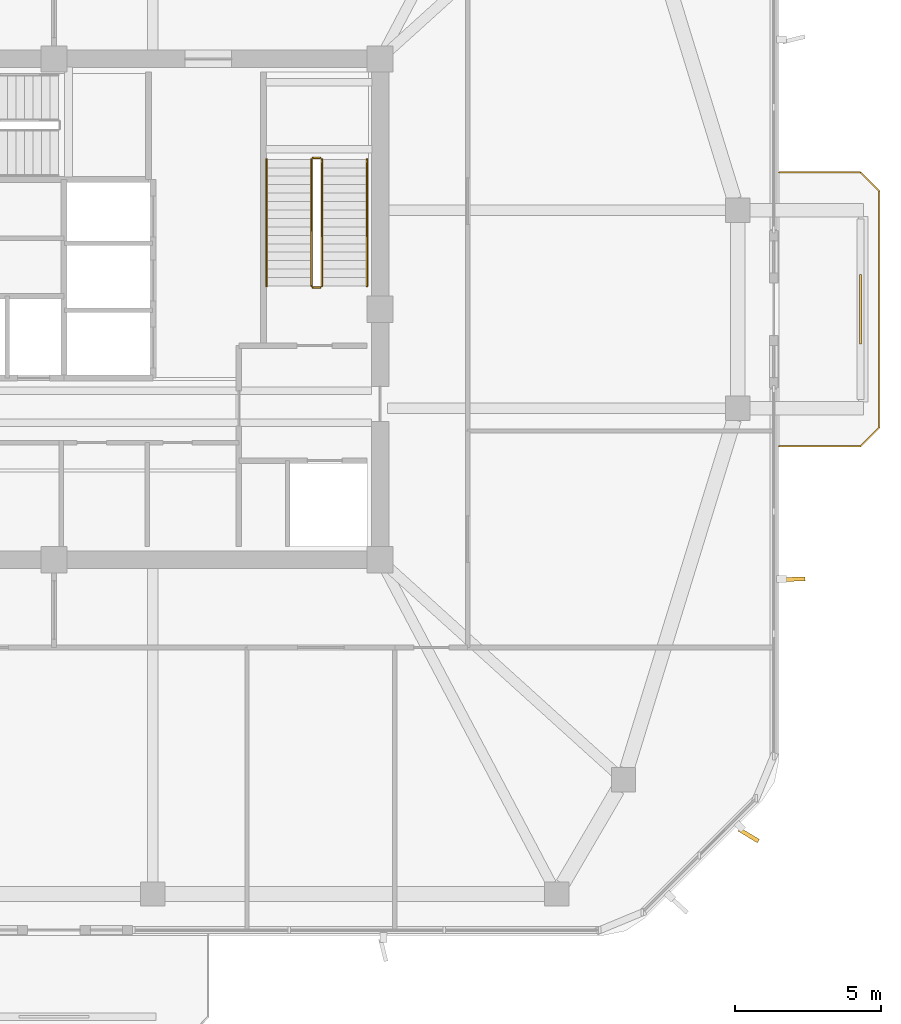
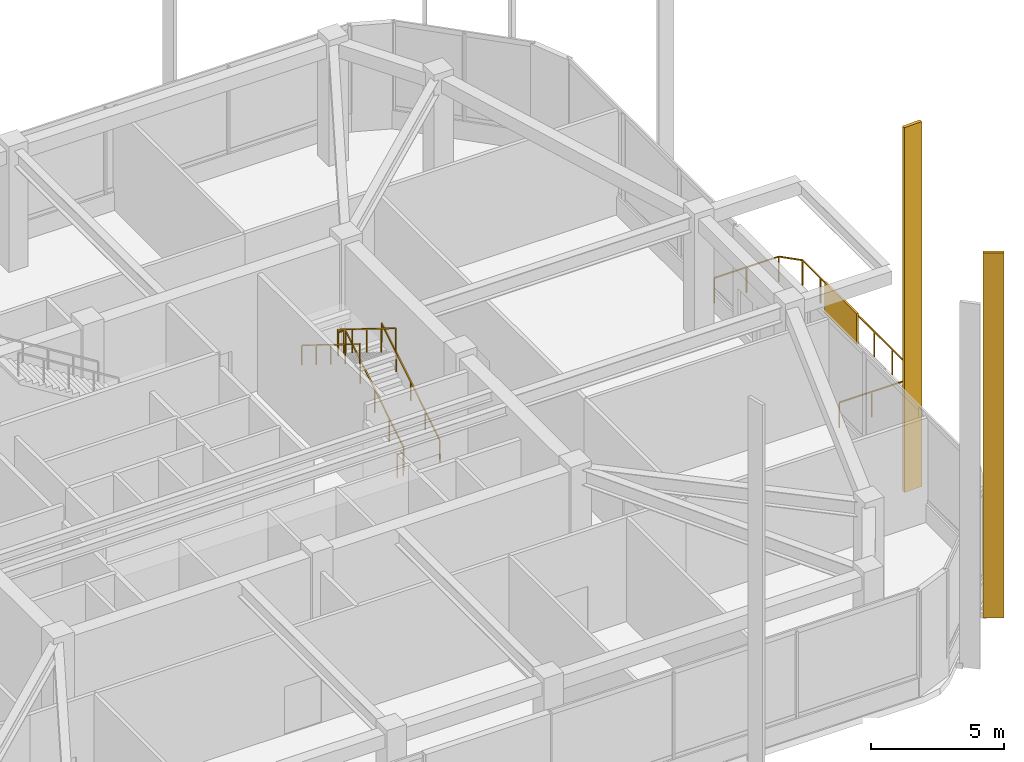
# One storey, part 13 of 14: 7 railings, 3 shading devices.
"""IFC4 building model written with IfcOpenShell, lengths in metres."""

import ifcopenshell
import ifcopenshell.guid

model = None  # the IFC model being written
_history = None  # IfcOwnerHistory: only IFC2X3 demands one
_inside = {}  # id of a spatial element -> (the spatial element, [elements in it])
_under = {}  # id of a project, library or spatial element -> (it, [spatial elements below it])
_declared = {}  # id of a project -> (the project, [libraries it declares])
_typed = {}  # id of a type object -> (the type object, [elements of that type])
_made_of = {}  # id of a material, layer set ... -> (it, [elements and type objects made of it])


def new_model(schema):
    """Start an empty IFC model of exactly this schema.

    Asked for "IFC4X3", IfcOpenShell would pick the latest addendum, in which some entities
    have other attributes; the version numbers below select the first issue.
    IFC2X3 requires an IfcOwnerHistory on every rooted entity: one is made here for all.
    """
    global model, _history
    if schema == "IFC4X3":
        model = ifcopenshell.file(schema_version=(4, 3, 0, 0))
    else:
        model = ifcopenshell.file(schema=schema)
    _inside.clear()
    _under.clear()
    _declared.clear()
    _typed.clear()
    _made_of.clear()
    _history = None
    if model.schema == "IFC2X3":
        org = make("IfcOrganization", Name="unknown")
        user = make(
            "IfcPersonAndOrganization",
            ThePerson=make("IfcPerson", FamilyName="unknown"),
            TheOrganization=org,
        )
        app = make(
            "IfcApplication",
            ApplicationDeveloper=org,
            Version="unknown",
            ApplicationFullName="unknown",
            ApplicationIdentifier="unknown",
        )
        _history = make(
            "IfcOwnerHistory",
            OwningUser=user,
            OwningApplication=app,
            ChangeAction="ADDED",
            CreationDate=0,
        )
    return model


def make(cls, **values):
    """One entity of the class cls with the attributes given. An attribute that is None is left unset."""
    return model.create_entity(
        cls, **{name: value for name, value in values.items() if value is not None}
    )


def rooted(cls, **values):
    """An entity with a GlobalId (a new one), such as an element, a storey or a relation."""
    return make(cls, GlobalId=ifcopenshell.guid.new(), OwnerHistory=_history, **values)


def si_unit(unit_type, name, prefix=None):
    """IfcSIUnit, for example si_unit("LENGTHUNIT", "METRE", prefix="MILLI")."""
    return make("IfcSIUnit", UnitType=unit_type, Prefix=prefix, Name=name)


def derived_unit(unit_type, elements):
    """IfcDerivedUnit: a product of units, each with its exponent."""
    return make(
        "IfcDerivedUnit",
        Elements=[
            make("IfcDerivedUnitElement", Unit=unit, Exponent=power)
            for unit, power in elements
        ],
        UnitType=unit_type,
    )


def assignment(units):
    """IfcUnitAssignment: the units of a project."""
    return None if units is None else make("IfcUnitAssignment", Units=units)


def point(xyz):
    """IfcCartesianPoint."""
    return None if xyz is None else make("IfcCartesianPoint", Coordinates=xyz)


def direction(xyz):
    """IfcDirection."""
    return None if xyz is None else make("IfcDirection", DirectionRatios=xyz)


def frame(location, z_axis=None, x_axis=None):
    """IfcAxis2Placement3D, a coordinate frame: its origin and axes. An axis left out is left unset."""
    return make(
        "IfcAxis2Placement3D",
        Location=point(location),
        Axis=direction(z_axis),
        RefDirection=direction(x_axis),
    )


def frame_2d(location, x_axis=None):
    """IfcAxis2Placement2D, a coordinate frame in the plane: its origin and x axis."""
    return make(
        "IfcAxis2Placement2D", Location=point(location), RefDirection=direction(x_axis)
    )


def origin():
    """The frame at (0, 0, 0) with its axes left unset."""
    return frame((0.0, 0.0, 0.0))


def origin_2d():
    """The frame at (0, 0) in the plane with its x axis left unset."""
    return frame_2d((0.0, 0.0))


def place(relative_to, where):
    """IfcLocalPlacement: puts the frame where relative to a parent placement (None: the world)."""
    return make(
        "IfcLocalPlacement", PlacementRelTo=relative_to, RelativePlacement=where
    )


def context(
    kind, dimensions, precision=None, world=None, true_north=None, identifier=None
):
    """IfcGeometricRepresentationContext, for example the 3D "Model" context."""
    return make(
        "IfcGeometricRepresentationContext",
        ContextIdentifier=identifier,
        ContextType=kind,
        CoordinateSpaceDimension=dimensions,
        Precision=precision,
        WorldCoordinateSystem=world,
        TrueNorth=true_north,
    )


def subcontext(parent, identifier, kind, view, scale=None):
    """IfcGeometricRepresentationSubContext, for example "Body" below "Model"."""
    return make(
        "IfcGeometricRepresentationSubContext",
        ContextIdentifier=identifier,
        ContextType=kind,
        ParentContext=parent,
        TargetScale=scale,
        TargetView=view,
    )


def project(units=None, contexts=None):
    """IfcProject with its units and contexts."""
    return rooted(
        "IfcProject",
        Name="project",
        RepresentationContexts=contexts,
        UnitsInContext=assignment(units),
    )


def spatial(cls, under=None, at=None, **own):
    """A site, building, storey or space (cls), placed at a placement, below another one or the project."""
    s = rooted(cls, ObjectPlacement=at, **own)
    if under is not None:
        _under.setdefault(under.id(), (under, []))[1].append(s)
    return s


def profile(cls, at=None, kind="AREA", **sizes):
    """A parametric profile (cls). Its sizes go by their IFC names, for example OverallWidth=200.0."""
    return make(cls, ProfileType=kind, Position=at, **sizes)


def rectangle(**sizes):
    """IfcRectangleProfileDef."""
    return profile("IfcRectangleProfileDef", **sizes)


def extrude(swept, where, along, depth):
    """IfcExtrudedAreaSolid: the profile swept, set in the frame where, extruded along a direction by depth."""
    return make(
        "IfcExtrudedAreaSolid",
        SweptArea=swept,
        Position=where,
        ExtrudedDirection=direction(along),
        Depth=depth,
    )


def shape(context_of_items, identifier, shape_type, items):
    """IfcShapeRepresentation: the items that make up one representation, for example the "Body"."""
    return make(
        "IfcShapeRepresentation",
        ContextOfItems=context_of_items,
        RepresentationIdentifier=identifier,
        RepresentationType=shape_type,
        Items=items,
    )


def material(Name=None, Category=None):
    """IfcMaterial."""
    return make("IfcMaterial", Name=Name, Category=Category)


def layer(
    of_material, thickness, ventilated=None, Name=None, Category=None, Priority=None
):
    """IfcMaterialLayer: one layer of a wall or slab, of a material (None: an air gap)."""
    return make(
        "IfcMaterialLayer",
        Material=of_material,
        LayerThickness=thickness,
        IsVentilated=ventilated,
        Name=Name,
        Category=Category,
        Priority=Priority,
    )


def layer_set(layers, Name=None):
    """IfcMaterialLayerSet."""
    return make("IfcMaterialLayerSet", MaterialLayers=layers, LayerSetName=Name)


def made_of(thing, what):
    """Note that an element or type object is made of a material, layer set ...; save() writes the relation."""
    if what is not None:
        _made_of.setdefault(what.id(), (what, []))[1].append(thing)
    return thing


def type_object(cls, material=None, **own):
    """A type object (cls), such as IfcWallType, which elements share."""
    return made_of(rooted(cls, **own), material)


def element(
    cls,
    number,
    at=None,
    inside=None,
    cuts=None,
    type_object=None,
    material=None,
    context=None,
    identifier="Body",
    shape_type=None,
    held_by="IfcProductDefinitionShape",
    body=None,
    shapes=None,
    **own,
):
    """One element of the class cls, such as IfcWall. Its Tag is "e" and its number.

    at: its placement. inside: the storey or other place that contains it. cuts: it is an
    opening in that element (IfcRelVoidsElement). A single representation is given by context,
    identifier, shape_type and body (its items); several are given by shapes. held_by: the class
    of the entity that holds the representations. save() writes the other relations.
    """
    e = rooted(cls, Tag="e%d" % number, ObjectPlacement=at, **own)
    if body is not None:
        shapes = [shape(context, identifier, shape_type, body)]
    if shapes is not None:
        e.Representation = make(held_by, Representations=shapes)
    if inside is not None:
        _inside.setdefault(inside.id(), (inside, []))[1].append(e)
    if cuts is not None:
        rooted(
            "IfcRelVoidsElement", RelatingBuildingElement=cuts, RelatedOpeningElement=e
        )
    if type_object is not None:
        _typed.setdefault(type_object.id(), (type_object, []))[1].append(e)
    return made_of(e, material)


def aggregate(whole, parts):
    """IfcRelAggregates: a whole, such as a stair, and the parts it consists of."""
    return rooted("IfcRelAggregates", RelatingObject=whole, RelatedObjects=parts)


def save(model, path):
    """Write the relations noted so far, then the file.

    IfcRelAggregates (storeys below a building ...), IfcRelContainedInSpatialStructure (elements
    in a storey), IfcRelDefinesByType, IfcRelAssociatesMaterial and IfcRelDeclares: one each for
    every whole, place, type object, material and project.
    """
    for whole, parts in _under.values():
        aggregate(whole, parts)
    for where, things in _inside.values():
        rooted(
            "IfcRelContainedInSpatialStructure",
            RelatedElements=things,
            RelatingStructure=where,
        )
    for kind, things in _typed.values():
        rooted("IfcRelDefinesByType", RelatedObjects=things, RelatingType=kind)
    for what, things in _made_of.values():
        rooted("IfcRelAssociatesMaterial", RelatedObjects=things, RelatingMaterial=what)
    for by, libraries in _declared.values():
        rooted("IfcRelDeclares", RelatingContext=by, RelatedDefinitions=libraries)
    model.write(path)


model = new_model("IFC4")

# Units and contexts
model_context = context("Model", 3, precision=1e-05, world=origin(), true_north=direction((0.0, 1.0)))
body_context = subcontext(model_context, "Body", "Model", "MODEL_VIEW")
ifc_project = project(units=[si_unit("LENGTHUNIT", "METRE"), si_unit("AREAUNIT", "SQUARE_METRE"), si_unit("VOLUMEUNIT", "CUBIC_METRE"), si_unit("PLANEANGLEUNIT", "RADIAN"), si_unit("MASSUNIT", "GRAM", prefix="KILO"), derived_unit("THERMALTRANSMITTANCEUNIT", [(si_unit("POWERUNIT", "WATT"), 1), (si_unit("LENGTHUNIT", "METRE"), -2), (si_unit("THERMODYNAMICTEMPERATUREUNIT", "KELVIN"), -1)])], contexts=[model_context])

# Site, building, storey
site_placement = place(None, origin())
site = spatial("IfcSite", under=ifc_project, at=site_placement, CompositionType="ELEMENT")
building_placement = place(site_placement, origin())
building = spatial("IfcBuilding", under=site, at=building_placement, Name="Koralith Skygarden Medical Center", CompositionType="ELEMENT")
storey_placement = place(building_placement, frame((0.0, 0.0, 237.06005859375)))
storey = spatial("IfcBuildingStorey", under=building, at=storey_placement, Name="L61", CompositionType="ELEMENT", Elevation=237.06005859375)

# Shading devices
ifc_material_1 = material(Name="Aluminium 6063-T6", Category="aluminium")
shading_device_type_1 = type_object("IfcShadingDeviceType", Name="Limestone-Clad Solar Storm Fin 780", PredefinedType="USERDEFINED", material=ifc_material_1)
for number, where, z_axis, x_axis, name in (
    (1, (60.860107421875, 7.837890625, -0.199951171875), (0.0, 0.0, 1.0), (0.855662480408, -0.517534269031, 0.0), "L61 SE Harmonic Solar Storm Fin 2"),
    (2, (62.409912109375, 16.6298828125, -0.199951171875), (0.0, 0.0, 1.0), (0.999284200358, 0.037829709434, 0.0), "L61 E Harmonic Solar Storm Fin 1"),
):
    element("IfcShadingDevice", number, at=place(storey_placement, frame(where, z_axis=z_axis, x_axis=x_axis)), inside=storey, type_object=shading_device_type_1, Name=name, ObjectType="SOLAR FIN", PredefinedType="USERDEFINED", context=body_context, shape_type="SweptSolid", body=[
        extrude(rectangle(XDim=0.780029296875, YDim=0.139892578125, at=origin_2d()), origin(), (0.0, 0.0, 1.0), 16.7099609375),
    ])

# Railing
ifc_material_2 = material(Name="Steel ASTM A500 Grade C", Category="steel")
railing_type_1 = type_object("IfcRailingType", Name="Outdoor Terrace & Balcony Safety Guardrail 1180", PredefinedType="GUARDRAIL", material=ifc_material_2)
railing_1_placement = place(storey_placement, frame((61.89990234375, 21.199951171875, 0.0)))
element("IfcRailing", 3, at=railing_1_placement, inside=storey, type_object=railing_type_1, Name="L61 E Balcony Perimeter Guardrail", PredefinedType="GUARDRAIL", context=body_context, shape_type="SweptSolid", body=[
    extrude(rectangle(XDim=0.050048828125, YDim=0.050048828125, at=origin_2d()), frame((0.001953125, 0.0, 1.15478515625), z_axis=(1.0, 0.0, 0.0), x_axis=(0.0, 1.0, 0.0)), (0.0, 0.0, 1.0), 2.796142578125),
    extrude(rectangle(XDim=0.050048828125, YDim=0.050048828125, at=origin_2d()), frame((2.801513671875, 0.00146484375, 1.15478515625), z_axis=(0.707106781187, 0.707106781187, 0.0), x_axis=(-0.707106781187, 0.707106781187, 0.0)), (0.0, 0.0, 1.0), 0.91552734375),
    extrude(rectangle(XDim=0.050048828125, YDim=0.050048828125, at=origin_2d()), frame((3.4501953125, 0.652099609375, 1.15478515625), z_axis=(0.0, 1.0, 0.0), x_axis=(-1.0, 0.0, 0.0)), (0.0, 0.0, 1.0), 8.095947265625),
    extrude(rectangle(XDim=0.050048828125, YDim=0.050048828125, at=origin_2d()), frame((3.44873046875, 8.75146484375, 1.15478515625), z_axis=(-0.707106781187, 0.707106781187, 0.0), x_axis=(-0.707106781187, -0.707106781187, 0.0)), (0.0, 0.0, 1.0), 0.91552734375),
    extrude(rectangle(XDim=0.050048828125, YDim=0.050048828125, at=origin_2d()), frame((2.798095703125, 9.400146484375, 1.15478515625), z_axis=(-1.0, 0.0, 0.0), x_axis=(0.0, -1.0, 0.0)), (0.0, 0.0, 1.0), 2.796142578125),
    extrude(rectangle(XDim=0.0419921875, YDim=0.0419921875, at=origin_2d()), origin(), (0.0, 0.0, 1.0), 1.1279296875),
    extrude(rectangle(XDim=0.0419921875, YDim=0.0419921875, at=origin_2d()), frame((1.39990234375, 0.0, 0.0)), (0.0, 0.0, 1.0), 1.1279296875),
    extrude(rectangle(XDim=0.0419921875, YDim=0.0419921875, at=origin_2d()), frame((2.800048828125, 0.0, 0.0)), (0.0, 0.0, 1.0), 1.1279296875),
    extrude(rectangle(XDim=0.0419921875, YDim=0.0419921875, at=origin_2d()), frame((3.4501953125, 0.650146484375, 0.0)), (0.0, 0.0, 1.0), 1.1279296875),
    extrude(rectangle(XDim=0.0419921875, YDim=0.0419921875, at=origin_2d()), frame((3.4501953125, 2.0, 0.0)), (0.0, 0.0, 1.0), 1.1279296875),
    extrude(rectangle(XDim=0.0419921875, YDim=0.0419921875, at=origin_2d()), frame((3.4501953125, 3.35009765625, 0.0)), (0.0, 0.0, 1.0), 1.1279296875),
    extrude(rectangle(XDim=0.0419921875, YDim=0.0419921875, at=origin_2d()), frame((3.4501953125, 4.7001953125, 0.0)), (0.0, 0.0, 1.0), 1.1279296875),
    extrude(rectangle(XDim=0.0419921875, YDim=0.0419921875, at=origin_2d()), frame((3.4501953125, 6.050048828125, 0.0)), (0.0, 0.0, 1.0), 1.1279296875),
    extrude(rectangle(XDim=0.0419921875, YDim=0.0419921875, at=origin_2d()), frame((3.4501953125, 7.39990234375, 0.0)), (0.0, 0.0, 1.0), 1.1279296875),
    extrude(rectangle(XDim=0.0419921875, YDim=0.0419921875, at=origin_2d()), frame((3.4501953125, 8.75, 0.0)), (0.0, 0.0, 1.0), 1.1279296875),
    extrude(rectangle(XDim=0.0419921875, YDim=0.0419921875, at=origin_2d()), frame((2.800048828125, 9.400146484375, 0.0)), (0.0, 0.0, 1.0), 1.1279296875),
    extrude(rectangle(XDim=0.0419921875, YDim=0.0419921875, at=origin_2d()), frame((1.39990234375, 9.400146484375, 0.0)), (0.0, 0.0, 1.0), 1.1279296875),
    extrude(rectangle(XDim=0.0419921875, YDim=0.0419921875, at=origin_2d()), frame((0.0, 9.400146484375, 0.0)), (0.0, 0.0, 1.0), 1.1279296875),
])

# Shading device
ifc_layer = layer(ifc_material_1, 0.080078125)
ifc_layer_set = layer_set([ifc_layer], Name="Aluminium 6063-T6")
shading_device_type_2 = type_object("IfcShadingDeviceType", Name="Perforated Biophilic Balcony Trellis Screen", PredefinedType="USERDEFINED", material=ifc_layer_set)
shading_device_placement = place(storey_placement, frame((64.699951171875, 25.89990234375, 0.719970703125), z_axis=(0.0, 0.0, 1.0), x_axis=(0.0, 1.0, 0.0)))
element("IfcShadingDevice", 4, at=shading_device_placement, inside=storey, type_object=shading_device_type_2, Name="L61 E Biophilic Balcony Trellis Screen", ObjectType="HURRICANE SCREEN", PredefinedType="USERDEFINED", context=body_context, shape_type="SweptSolid", body=[
    extrude(rectangle(XDim=2.39990234375, YDim=0.080078125, at=origin_2d()), origin(), (0.0, 0.0, 1.0), 1.39990234375),
])

# Railings
railing_type_2 = type_object("IfcRailingType", Name="Stair Flight Tubular Handrail 920", PredefinedType="HANDRAIL", material=ifc_material_2)
railing_2_placement = place(storey_placement, frame((47.75, 26.699951171875, 0.179931640625)))
element("IfcRailing", 5, at=railing_2_placement, inside=storey, type_object=railing_type_2, Name="L61 ST2 stair handrail 1", PredefinedType="HANDRAIL", context=body_context, shape_type="SweptSolid", body=[
    extrude(rectangle(XDim=0.050048828125, YDim=0.050048828125, at=origin_2d()), frame((0.0, 0.001708984375, 0.89599609375), z_axis=(0.0, 0.849649743971, 0.527347430608), x_axis=(-1.0, 0.0, 0.0)), (0.0, 0.0, 1.0), 5.115966796875),
    extrude(rectangle(XDim=0.0419921875, YDim=0.0419921875, at=origin_2d()), origin(), (0.0, 0.0, 1.0), 0.867919921875),
    extrude(rectangle(XDim=0.0419921875, YDim=0.0419921875, at=origin_2d()), frame((0.0, 1.08740234375, 0.675048828125)), (0.0, 0.0, 1.0), 0.867919921875),
    extrude(rectangle(XDim=0.0419921875, YDim=0.0419921875, at=origin_2d()), frame((0.0, 2.175048828125, 1.35009765625)), (0.0, 0.0, 1.0), 0.867919921875),
    extrude(rectangle(XDim=0.0419921875, YDim=0.0419921875, at=origin_2d()), frame((0.0, 3.2626953125, 2.02490234375)), (0.0, 0.0, 1.0), 0.867919921875),
    extrude(rectangle(XDim=0.0419921875, YDim=0.0419921875, at=origin_2d()), frame((0.0, 4.35009765625, 2.699951171875)), (0.0, 0.0, 1.0), 0.867919921875),
])
railing_3_placement = place(storey_placement, frame((44.300048828125, 31.050048828125, 3.06005859375)))
element("IfcRailing", 6, at=railing_3_placement, inside=storey, type_object=railing_type_2, Name="L61 ST2 stair handrail 2", PredefinedType="HANDRAIL", context=body_context, shape_type="SweptSolid", body=[
    extrude(rectangle(XDim=0.050048828125, YDim=0.050048828125, at=origin_2d()), frame((0.0, -0.001708984375, 0.89599609375), z_axis=(0.0, -0.849649743971, 0.527347430608), x_axis=(1.0, 0.0, 0.0)), (0.0, 0.0, 1.0), 5.115966796875),
    extrude(rectangle(XDim=0.0419921875, YDim=0.0419921875, at=origin_2d()), origin(), (0.0, 0.0, 1.0), 0.867919921875),
    extrude(rectangle(XDim=0.0419921875, YDim=0.0419921875, at=origin_2d()), frame((0.0, -1.08740234375, 0.675048828125)), (0.0, 0.0, 1.0), 0.867919921875),
    extrude(rectangle(XDim=0.0419921875, YDim=0.0419921875, at=origin_2d()), frame((0.0, -2.175048828125, 1.35009765625)), (0.0, 0.0, 1.0), 0.867919921875),
    extrude(rectangle(XDim=0.0419921875, YDim=0.0419921875, at=origin_2d()), frame((0.0, -3.2626953125, 2.02490234375)), (0.0, 0.0, 1.0), 0.867919921875),
    extrude(rectangle(XDim=0.0419921875, YDim=0.0419921875, at=origin_2d()), frame((0.0, -4.35009765625, 2.699951171875)), (0.0, 0.0, 1.0), 0.867919921875),
])
railing_type_3 = type_object("IfcRailingType", Name="Stair Well Safety Guardrail 1100", PredefinedType="GUARDRAIL", material=ifc_material_2)
railing_4_placement = place(storey_placement, frame((46.199951171875, 26.699951171875, 0.179931640625)))
element("IfcRailing", 7, at=railing_4_placement, inside=storey, type_object=railing_type_3, Name="L61 ST2 stair guard 1", PredefinedType="GUARDRAIL", context=body_context, shape_type="SweptSolid", body=[
    extrude(rectangle(XDim=0.050048828125, YDim=0.050048828125, at=origin_2d()), frame((0.0, 0.001708984375, 1.076171875), z_axis=(0.0, 0.849649743971, 0.527347430608), x_axis=(-1.0, 0.0, 0.0)), (0.0, 0.0, 1.0), 5.115966796875),
    extrude(rectangle(XDim=0.0419921875, YDim=0.0419921875, at=origin_2d()), origin(), (0.0, 0.0, 1.0), 1.048095703125),
    extrude(rectangle(XDim=0.0419921875, YDim=0.0419921875, at=origin_2d()), frame((0.0, 1.08740234375, 0.675048828125)), (0.0, 0.0, 1.0), 1.048095703125),
    extrude(rectangle(XDim=0.0419921875, YDim=0.0419921875, at=origin_2d()), frame((0.0, 2.175048828125, 1.35009765625)), (0.0, 0.0, 1.0), 1.048095703125),
    extrude(rectangle(XDim=0.0419921875, YDim=0.0419921875, at=origin_2d()), frame((0.0, 3.2626953125, 2.02490234375)), (0.0, 0.0, 1.0), 1.048095703125),
    extrude(rectangle(XDim=0.0419921875, YDim=0.0419921875, at=origin_2d()), frame((0.0, 4.35009765625, 2.699951171875)), (0.0, 0.0, 1.0), 1.048095703125),
])
railing_5_placement = place(storey_placement, frame((46.14990234375, 31.10009765625, 2.8798828125)))
element("IfcRailing", 8, at=railing_5_placement, inside=storey, type_object=railing_type_3, Name="L61 ST2 stair guard 2", PredefinedType="GUARDRAIL", context=body_context, shape_type="SweptSolid", body=[
    extrude(rectangle(XDim=0.050048828125, YDim=0.050048828125, at=origin_2d()), frame((-0.001953125, 0.0, 1.0751953125), z_axis=(-1.0, 0.0, 0.0), x_axis=(0.0, -1.0, 0.0)), (0.0, 0.0, 1.0), 0.24609375),
    extrude(rectangle(XDim=0.0419921875, YDim=0.0419921875, at=origin_2d()), origin(), (0.0, 0.0, 1.0), 1.048095703125),
    extrude(rectangle(XDim=0.0419921875, YDim=0.0419921875, at=origin_2d()), frame((-0.25, 0.0, 0.0)), (0.0, 0.0, 1.0), 1.048095703125),
])
railing_6_placement = place(storey_placement, frame((45.85009765625, 31.050048828125, 3.06005859375)))
element("IfcRailing", 9, at=railing_6_placement, inside=storey, type_object=railing_type_3, Name="L61 ST2 stair guard 3", PredefinedType="GUARDRAIL", context=body_context, shape_type="SweptSolid", body=[
    extrude(rectangle(XDim=0.050048828125, YDim=0.050048828125, at=origin_2d()), frame((0.0, -0.001708984375, 1.076171875), z_axis=(0.0, -0.849649743971, 0.527347430608), x_axis=(1.0, 0.0, 0.0)), (0.0, 0.0, 1.0), 5.115966796875),
    extrude(rectangle(XDim=0.0419921875, YDim=0.0419921875, at=origin_2d()), origin(), (0.0, 0.0, 1.0), 1.048095703125),
    extrude(rectangle(XDim=0.0419921875, YDim=0.0419921875, at=origin_2d()), frame((0.0, -1.08740234375, 0.675048828125)), (0.0, 0.0, 1.0), 1.048095703125),
    extrude(rectangle(XDim=0.0419921875, YDim=0.0419921875, at=origin_2d()), frame((0.0, -2.175048828125, 1.35009765625)), (0.0, 0.0, 1.0), 1.048095703125),
    extrude(rectangle(XDim=0.0419921875, YDim=0.0419921875, at=origin_2d()), frame((0.0, -3.2626953125, 2.02490234375)), (0.0, 0.0, 1.0), 1.048095703125),
    extrude(rectangle(XDim=0.0419921875, YDim=0.0419921875, at=origin_2d()), frame((0.0, -4.35009765625, 2.699951171875)), (0.0, 0.0, 1.0), 1.048095703125),
])
railing_7_placement = place(storey_placement, frame((46.14990234375, 26.64990234375, 0.0)))
element("IfcRailing", 10, at=railing_7_placement, inside=storey, type_object=railing_type_3, Name="L61 ST2 stair guard 4", PredefinedType="GUARDRAIL", context=body_context, shape_type="SweptSolid", body=[
    extrude(rectangle(XDim=0.050048828125, YDim=0.050048828125, at=origin_2d()), frame((-0.001953125, 0.0, 1.0751953125), z_axis=(-1.0, 0.0, 0.0), x_axis=(0.0, -1.0, 0.0)), (0.0, 0.0, 1.0), 0.24609375),
    extrude(rectangle(XDim=0.0419921875, YDim=0.0419921875, at=origin_2d()), origin(), (0.0, 0.0, 1.0), 1.048095703125),
    extrude(rectangle(XDim=0.0419921875, YDim=0.0419921875, at=origin_2d()), frame((-0.25, 0.0, 0.0)), (0.0, 0.0, 1.0), 1.048095703125),
])

save(model, "model.ifc")
